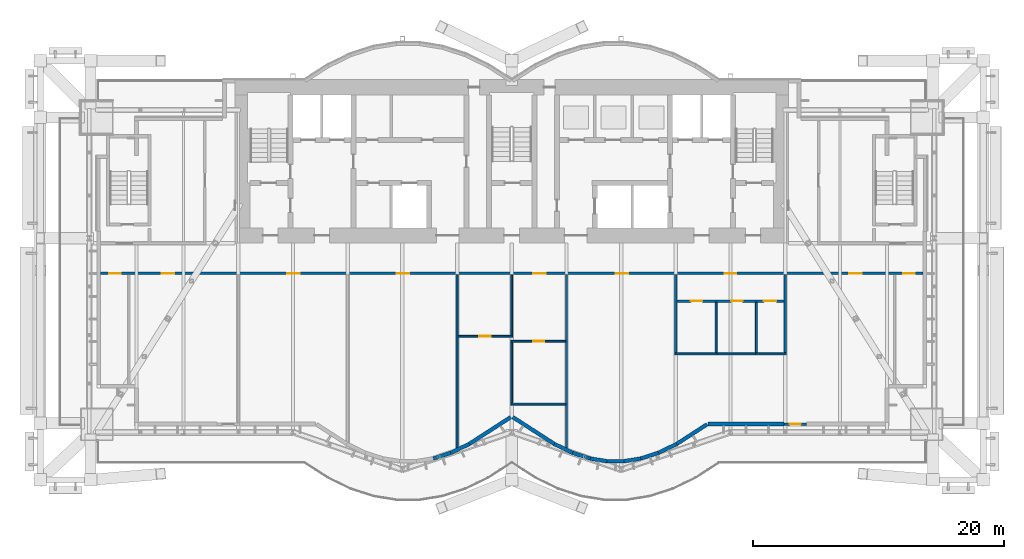
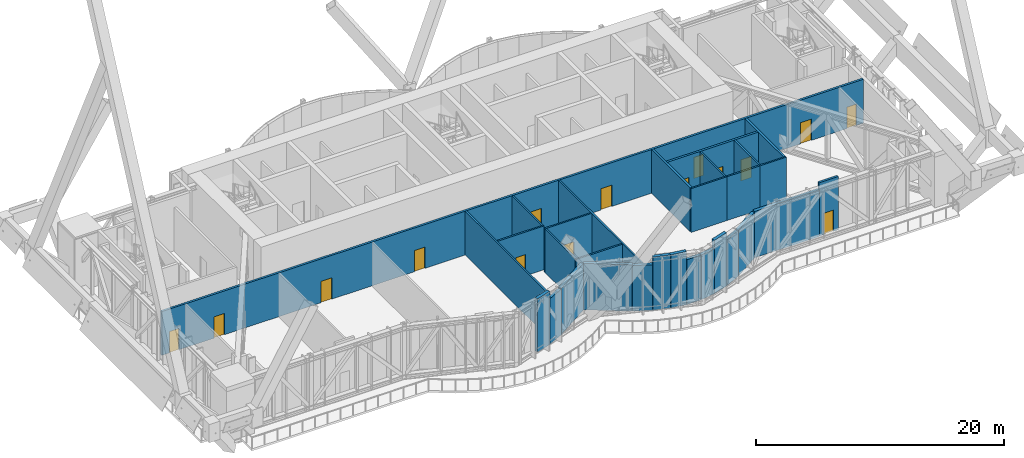
# One storey, part 24 of 31: 30 walls, 15 doors, 15 openings.
"""IFC4 building model written with IfcOpenShell, lengths in metres."""

from ifc_helpers import new_model, si_unit, direction, frame, frame_2d, origin, place, context, subcontext, project, spatial, rectangle, extrude, material, layer, layer_set, layer_usage, type_object, element, fill, save


model = new_model("IFC4")

# Units and contexts
model_context = context("Model", 3, precision=1e-05, world=origin(), true_north=direction((0.0, 1.0)))
body_context = subcontext(model_context, "Body", "Model", "MODEL_VIEW")
ifc_project = project(units=[si_unit("LENGTHUNIT", "METRE"), si_unit("AREAUNIT", "SQUARE_METRE"), si_unit("VOLUMEUNIT", "CUBIC_METRE"), si_unit("PLANEANGLEUNIT", "RADIAN"), si_unit("MASSUNIT", "GRAM", prefix="KILO")], contexts=[model_context])

# Site, building, storey
site_placement = place(None, origin())
site = spatial("IfcSite", under=ifc_project, at=site_placement, CompositionType="ELEMENT")
building_placement = place(site_placement, origin())
building = spatial("IfcBuilding", under=site, at=building_placement, Name="Bicima Exchange Tower", CompositionType="ELEMENT")
storey_placement = place(building_placement, frame((0.0, 0.0, 236.0)))
storey = spatial("IfcBuildingStorey", under=building, at=storey_placement, Name="L53", CompositionType="ELEMENT", Elevation=236.0)

# Wall, opening, door
ifc_material_1 = material(Name="Concrete C40/50", Category="concrete")
ifc_layer_1 = layer(ifc_material_1, 0.2)
ifc_layer_set_1 = layer_set([ifc_layer_1], Name="Concrete C40/50")
ifc_layer_usage_1 = layer_usage(ifc_layer_set_1, "AXIS2", "POSITIVE", -0.1)
wall_type_1 = type_object("IfcWallType", Name="Entrance frame wall 200", PredefinedType="STANDARD", material=ifc_layer_set_1)
wall_1_placement = place(storey_placement, frame((23.449951171875, -27.382080078125, 0.0), z_axis=(0.0, 0.0, 1.0), x_axis=(-1.0, 0.0, 0.0)))
wall_1 = element("IfcWall", 1, at=wall_1_placement, inside=storey, type_object=wall_type_1, material=ifc_layer_usage_1, Name="Band door frame wall L53", PredefinedType="STANDARD", context=body_context, shape_type="SweptSolid", body=[
    extrude(rectangle(XDim=1.800048828125, YDim=0.199951171875, at=frame_2d((0.89990234375, 0.0))), origin(), (0.0, 0.0, 1.0), 5.25),
])
opening_1_placement = place(wall_1_placement, frame((0.449951171875, 0.0, 0.0)))
opening_1 = element("IfcOpeningElement", 2, at=opening_1_placement, cuts=wall_1, Name="Opening DX5", PredefinedType="OPENING", context=body_context, shape_type="SweptSolid", body=[
    extrude(rectangle(XDim=0.89990234375, YDim=2.10009765625, at=frame_2d((0.449951171875, 1.050048828125))), frame((0.0, 0.11181640625, 0.0), z_axis=(0.0, -1.0, 0.0), x_axis=(1.0, 0.0, 0.0)), (0.0, 0.0, 1.0), 0.223876953125),
])
ifc_material_2 = material(Name="Anodised bronze aluminium and bonded safety glass", Category="aluminium")
door_type_1 = type_object("IfcDoorType", Name="Band terrace door, single leaf 900 x 2100", OperationType="SINGLE_SWING_LEFT", PredefinedType="DOOR", material=ifc_material_2)
door_1_placement = place(opening_1_placement, origin())
door_1 = element("IfcDoor", 3, at=door_1_placement, inside=storey, type_object=door_type_1, Name="Band door door L53", OperationType="SINGLE_SWING_LEFT", OverallHeight=2.10009765625, OverallWidth=0.89990234375, PredefinedType="DOOR", context=body_context, shape_type="SweptSolid", body=[
    extrude(rectangle(XDim=0.89990234375, YDim=2.10009765625, at=frame_2d((0.449951171875, 1.050048828125))), frame((0.0, 0.02490234375, 0.0), z_axis=(0.0, -1.0, 0.0), x_axis=(1.0, 0.0, 0.0)), (0.0, 0.0, 1.0), 0.050048828125),
])
fill(opening_1, door_1)

# Wall, openings, doors
ifc_material_3 = material(Name="Gypsum board partition")
ifc_layer_2 = layer(ifc_material_3, 0.199951171875)
ifc_layer_set_2 = layer_set([ifc_layer_2], Name="Gypsum board partition")
wall_type_2 = type_object("IfcWallType", Name="Fire-rated gypsum partition 200 EI60", PredefinedType="PARTITIONING", material=ifc_layer_set_2)
wall_2_placement = place(storey_placement, frame((13.14990234375, -17.60009765625, 0.0), z_axis=(0.0, 0.0, 1.0), x_axis=(1.0, 0.0, 0.0)))
wall_2 = element("IfcWall", 4, at=wall_2_placement, inside=storey, type_object=wall_type_2, Name="partition wall 7", PredefinedType="PARTITIONING", context=body_context, shape_type="SweptSolid", body=[
    extrude(rectangle(XDim=8.5, YDim=0.199951171875, at=frame_2d((4.25, 0.0))), origin(), (0.0, 0.0, 1.0), 4.318115234375),
])
opening_2_placement = place(wall_2_placement, frame((1.10009765625, 0.0, 0.0)))
opening_2 = element("IfcOpeningElement", 5, at=opening_2_placement, cuts=wall_2, Name="Opening L53-016", PredefinedType="OPENING", context=body_context, shape_type="SweptSolid", body=[
    extrude(rectangle(XDim=0.89990234375, YDim=2.10009765625, at=frame_2d((0.449951171875, 1.050048828125))), frame((0.0, 0.11181640625, 0.0), z_axis=(0.0, -1.0, 0.0), x_axis=(1.0, 0.0, 0.0)), (0.0, 0.0, 1.0), 0.223876953125),
])
opening_3_placement = place(wall_2_placement, frame((4.300048828125, 0.0, 0.0)))
opening_3 = element("IfcOpeningElement", 6, at=opening_3_placement, cuts=wall_2, Name="Opening L53-017", PredefinedType="OPENING", context=body_context, shape_type="SweptSolid", body=[
    extrude(rectangle(XDim=0.89990234375, YDim=2.10009765625, at=frame_2d((0.449951171875, 1.050048828125))), frame((0.0, 0.11181640625, 0.0), z_axis=(0.0, -1.0, 0.0), x_axis=(1.0, 0.0, 0.0)), (0.0, 0.0, 1.0), 0.223876953125),
])
opening_4_placement = place(wall_2_placement, frame((6.89990234375, 0.0, 0.0)))
opening_4 = element("IfcOpeningElement", 7, at=opening_4_placement, cuts=wall_2, Name="Opening L53-018", PredefinedType="OPENING", context=body_context, shape_type="SweptSolid", body=[
    extrude(rectangle(XDim=1.0, YDim=2.10009765625, at=frame_2d((0.5, 1.050048828125))), frame((0.0, 0.11181640625, 0.0), z_axis=(0.0, -1.0, 0.0), x_axis=(1.0, 0.0, 0.0)), (0.0, 0.0, 1.0), 0.223876953125),
])
ifc_material_4 = material(Name="Steel fire door leaf", Category="steel")
door_type_2 = type_object("IfcDoorType", Name="Door 1000 swing FD30S", OperationType="SINGLE_SWING_LEFT", PredefinedType="DOOR", material=ifc_material_4)
door_2_placement = place(opening_4_placement, frame((1.0, 0.0, 0.0), z_axis=(0.0, 0.0, 1.0), x_axis=(-1.0, 0.0, 0.0)))
door_2 = element("IfcDoor", 8, at=door_2_placement, inside=storey, type_object=door_type_2, Name="Door", OperationType="SINGLE_SWING_RIGHT", OverallHeight=2.10009765625, OverallWidth=1.0, PredefinedType="DOOR", context=body_context, shape_type="SweptSolid", body=[
    extrude(rectangle(XDim=1.0, YDim=2.10009765625, at=frame_2d((0.5, 1.050048828125))), frame((0.0, 0.02490234375, 0.0), z_axis=(0.0, -1.0, 0.0), x_axis=(1.0, 0.0, 0.0)), (0.0, 0.0, 1.0), 0.050048828125),
])
fill(opening_4, door_2)
door_type_3 = type_object("IfcDoorType", Name="Door 900 swing FD30S", OperationType="SINGLE_SWING_LEFT", PredefinedType="DOOR", material=ifc_material_4)
door_3_placement = place(opening_2_placement, frame((0.89990234375, 0.0, 0.0), z_axis=(0.0, 0.0, 1.0), x_axis=(-1.0, 0.0, 0.0)))
door_3 = element("IfcDoor", 9, at=door_3_placement, inside=storey, type_object=door_type_3, Name="Door", OperationType="SINGLE_SWING_LEFT", OverallHeight=2.10009765625, OverallWidth=0.89990234375, PredefinedType="DOOR", context=body_context, shape_type="SweptSolid", body=[
    extrude(rectangle(XDim=0.89990234375, YDim=2.10009765625, at=frame_2d((0.449951171875, 1.050048828125))), frame((0.0, 0.02490234375, 0.0), z_axis=(0.0, -1.0, 0.0), x_axis=(1.0, 0.0, 0.0)), (0.0, 0.0, 1.0), 0.050048828125),
])
fill(opening_2, door_3)
door_4_placement = place(opening_3_placement, frame((0.89990234375, 0.0, 0.0), z_axis=(0.0, 0.0, 1.0), x_axis=(-1.0, 0.0, 0.0)))
door_4 = element("IfcDoor", 10, at=door_4_placement, inside=storey, type_object=door_type_3, Name="Door", OperationType="SINGLE_SWING_RIGHT", OverallHeight=2.10009765625, OverallWidth=0.89990234375, PredefinedType="DOOR", context=body_context, shape_type="SweptSolid", body=[
    extrude(rectangle(XDim=0.89990234375, YDim=2.10009765625, at=frame_2d((0.449951171875, 1.050048828125))), frame((0.0, 0.02490234375, 0.0), z_axis=(0.0, -1.0, 0.0), x_axis=(1.0, 0.0, 0.0)), (0.0, 0.0, 1.0), 0.050048828125),
])
fill(opening_3, door_4)

wall_3_placement = place(storey_placement, frame((-32.699951171875, -15.39990234375, 0.0), z_axis=(0.0, 0.0, 1.0), x_axis=(1.0, 0.0, 0.0)))
wall_3 = element("IfcWall", 11, at=wall_3_placement, inside=storey, type_object=wall_type_2, Name="partition wall 8", PredefinedType="PARTITIONING", context=body_context, shape_type="SweptSolid", body=[
    extrude(rectangle(XDim=65.39990234375, YDim=0.199951171875, at=frame_2d((32.699951171875, 0.0))), origin(), (0.0, 0.0, 1.0), 4.318115234375),
])
opening_5_placement = place(wall_3_placement, frame((0.699951171875, 0.0, 0.0)))
opening_5 = element("IfcOpeningElement", 12, at=opening_5_placement, cuts=wall_3, Name="Opening L53-007", PredefinedType="OPENING", context=body_context, shape_type="SweptSolid", body=[
    extrude(rectangle(XDim=0.89990234375, YDim=2.10009765625, at=frame_2d((0.449951171875, 1.050048828125))), frame((0.0, 0.11181640625, 0.0), z_axis=(0.0, -1.0, 0.0), x_axis=(1.0, 0.0, 0.0)), (0.0, 0.0, 1.0), 0.223876953125),
])
opening_6_placement = place(wall_3_placement, frame((4.85009765625, 0.0, 0.0)))
opening_6 = element("IfcOpeningElement", 13, at=opening_6_placement, cuts=wall_3, Name="Opening L53-008", PredefinedType="OPENING", context=body_context, shape_type="SweptSolid", body=[
    extrude(rectangle(XDim=1.0, YDim=2.10009765625, at=frame_2d((0.5, 1.050048828125))), frame((0.0, 0.11181640625, 0.0), z_axis=(0.0, -1.0, 0.0), x_axis=(1.0, 0.0, 0.0)), (0.0, 0.0, 1.0), 0.223876953125),
])
opening_7_placement = place(wall_3_placement, frame((14.85009765625, 0.0, 0.0)))
opening_7 = element("IfcOpeningElement", 14, at=opening_7_placement, cuts=wall_3, Name="Opening L53-009", PredefinedType="OPENING", context=body_context, shape_type="SweptSolid", body=[
    extrude(rectangle(XDim=1.0, YDim=2.10009765625, at=frame_2d((0.5, 1.050048828125))), frame((0.0, 0.11181640625, 0.0), z_axis=(0.0, -1.0, 0.0), x_axis=(1.0, 0.0, 0.0)), (0.0, 0.0, 1.0), 0.223876953125),
])
opening_8_placement = place(wall_3_placement, frame((23.550048828125, 0.0, 0.0)))
opening_8 = element("IfcOpeningElement", 15, at=opening_8_placement, cuts=wall_3, Name="Opening L53-010", PredefinedType="OPENING", context=body_context, shape_type="SweptSolid", body=[
    extrude(rectangle(XDim=1.0, YDim=2.10009765625, at=frame_2d((0.5, 1.050048828125))), frame((0.0, 0.11181640625, 0.0), z_axis=(0.0, -1.0, 0.0), x_axis=(1.0, 0.0, 0.0)), (0.0, 0.0, 1.0), 0.223876953125),
])
opening_9_placement = place(wall_3_placement, frame((34.39990234375, 0.0, 0.0)))
opening_9 = element("IfcOpeningElement", 16, at=opening_9_placement, cuts=wall_3, Name="Opening L53-011", PredefinedType="OPENING", context=body_context, shape_type="SweptSolid", body=[
    extrude(rectangle(XDim=1.0, YDim=2.10009765625, at=frame_2d((0.5, 1.050048828125))), frame((0.0, 0.11181640625, 0.0), z_axis=(0.0, -1.0, 0.0), x_axis=(1.0, 0.0, 0.0)), (0.0, 0.0, 1.0), 0.223876953125),
])
opening_10_placement = place(wall_3_placement, frame((40.949951171875, 0.0, 0.0)))
opening_10 = element("IfcOpeningElement", 17, at=opening_10_placement, cuts=wall_3, Name="Opening L53-014", PredefinedType="OPENING", context=body_context, shape_type="SweptSolid", body=[
    extrude(rectangle(XDim=1.0, YDim=2.10009765625, at=frame_2d((0.5, 1.050048828125))), frame((0.0, 0.11181640625, 0.0), z_axis=(0.0, -1.0, 0.0), x_axis=(1.0, 0.0, 0.0)), (0.0, 0.0, 1.0), 0.223876953125),
])
opening_11_placement = place(wall_3_placement, frame((49.64990234375, 0.0, 0.0)))
opening_11 = element("IfcOpeningElement", 18, at=opening_11_placement, cuts=wall_3, Name="Opening L53-015", PredefinedType="OPENING", context=body_context, shape_type="SweptSolid", body=[
    extrude(rectangle(XDim=0.89990234375, YDim=2.10009765625, at=frame_2d((0.449951171875, 1.050048828125))), frame((0.0, 0.11181640625, 0.0), z_axis=(0.0, -1.0, 0.0), x_axis=(1.0, 0.0, 0.0)), (0.0, 0.0, 1.0), 0.223876953125),
])
opening_12_placement = place(wall_3_placement, frame((59.550048828125, 0.0, 0.0)))
opening_12 = element("IfcOpeningElement", 19, at=opening_12_placement, cuts=wall_3, Name="Opening L53-019", PredefinedType="OPENING", context=body_context, shape_type="SweptSolid", body=[
    extrude(rectangle(XDim=1.0, YDim=2.10009765625, at=frame_2d((0.5, 1.050048828125))), frame((0.0, 0.11181640625, 0.0), z_axis=(0.0, -1.0, 0.0), x_axis=(1.0, 0.0, 0.0)), (0.0, 0.0, 1.0), 0.223876953125),
])
opening_13_placement = place(wall_3_placement, frame((63.85009765625, 0.0, 0.0)))
opening_13 = element("IfcOpeningElement", 20, at=opening_13_placement, cuts=wall_3, Name="Opening L53-020", PredefinedType="OPENING", context=body_context, shape_type="SweptSolid", body=[
    extrude(rectangle(XDim=0.89990234375, YDim=2.10009765625, at=frame_2d((0.449951171875, 1.050048828125))), frame((0.0, 0.11181640625, 0.0), z_axis=(0.0, -1.0, 0.0), x_axis=(1.0, 0.0, 0.0)), (0.0, 0.0, 1.0), 0.223876953125),
])
door_5_placement = place(opening_6_placement, frame((1.0, 0.0, 0.0), z_axis=(0.0, 0.0, 1.0), x_axis=(-1.0, 0.0, 0.0)))
door_5 = element("IfcDoor", 21, at=door_5_placement, inside=storey, type_object=door_type_2, Name="Door", OperationType="SINGLE_SWING_RIGHT", OverallHeight=2.10009765625, OverallWidth=1.0, PredefinedType="DOOR", context=body_context, shape_type="SweptSolid", body=[
    extrude(rectangle(XDim=1.0, YDim=2.10009765625, at=frame_2d((0.5, 1.050048828125))), frame((0.0, 0.02490234375, 0.0), z_axis=(0.0, -1.0, 0.0), x_axis=(1.0, 0.0, 0.0)), (0.0, 0.0, 1.0), 0.050048828125),
])
fill(opening_6, door_5)
door_6_placement = place(opening_7_placement, frame((1.0, 0.0, 0.0), z_axis=(0.0, 0.0, 1.0), x_axis=(-1.0, 0.0, 0.0)))
door_6 = element("IfcDoor", 22, at=door_6_placement, inside=storey, type_object=door_type_2, Name="Door", OperationType="SINGLE_SWING_RIGHT", OverallHeight=2.10009765625, OverallWidth=1.0, PredefinedType="DOOR", context=body_context, shape_type="SweptSolid", body=[
    extrude(rectangle(XDim=1.0, YDim=2.10009765625, at=frame_2d((0.5, 1.050048828125))), frame((0.0, 0.02490234375, 0.0), z_axis=(0.0, -1.0, 0.0), x_axis=(1.0, 0.0, 0.0)), (0.0, 0.0, 1.0), 0.050048828125),
])
fill(opening_7, door_6)
door_7_placement = place(opening_8_placement, frame((1.0, 0.0, 0.0), z_axis=(0.0, 0.0, 1.0), x_axis=(-1.0, 0.0, 0.0)))
door_7 = element("IfcDoor", 23, at=door_7_placement, inside=storey, type_object=door_type_2, Name="Door", OperationType="SINGLE_SWING_LEFT", OverallHeight=2.10009765625, OverallWidth=1.0, PredefinedType="DOOR", context=body_context, shape_type="SweptSolid", body=[
    extrude(rectangle(XDim=1.0, YDim=2.10009765625, at=frame_2d((0.5, 1.050048828125))), frame((0.0, 0.02490234375, 0.0), z_axis=(0.0, -1.0, 0.0), x_axis=(1.0, 0.0, 0.0)), (0.0, 0.0, 1.0), 0.050048828125),
])
fill(opening_8, door_7)
door_8_placement = place(opening_9_placement, frame((1.0, 0.0, 0.0), z_axis=(0.0, 0.0, 1.0), x_axis=(-1.0, 0.0, 0.0)))
door_8 = element("IfcDoor", 24, at=door_8_placement, inside=storey, type_object=door_type_2, Name="Door", OperationType="SINGLE_SWING_RIGHT", OverallHeight=2.10009765625, OverallWidth=1.0, PredefinedType="DOOR", context=body_context, shape_type="SweptSolid", body=[
    extrude(rectangle(XDim=1.0, YDim=2.10009765625, at=frame_2d((0.5, 1.050048828125))), frame((0.0, 0.02490234375, 0.0), z_axis=(0.0, -1.0, 0.0), x_axis=(1.0, 0.0, 0.0)), (0.0, 0.0, 1.0), 0.050048828125),
])
fill(opening_9, door_8)
door_9_placement = place(opening_10_placement, frame((1.0, 0.0, 0.0), z_axis=(0.0, 0.0, 1.0), x_axis=(-1.0, 0.0, 0.0)))
door_9 = element("IfcDoor", 25, at=door_9_placement, inside=storey, type_object=door_type_2, Name="Door", OperationType="SINGLE_SWING_RIGHT", OverallHeight=2.10009765625, OverallWidth=1.0, PredefinedType="DOOR", context=body_context, shape_type="SweptSolid", body=[
    extrude(rectangle(XDim=1.0, YDim=2.10009765625, at=frame_2d((0.5, 1.050048828125))), frame((0.0, 0.02490234375, 0.0), z_axis=(0.0, -1.0, 0.0), x_axis=(1.0, 0.0, 0.0)), (0.0, 0.0, 1.0), 0.050048828125),
])
fill(opening_10, door_9)
door_10_placement = place(opening_12_placement, frame((1.0, 0.0, 0.0), z_axis=(0.0, 0.0, 1.0), x_axis=(-1.0, 0.0, 0.0)))
door_10 = element("IfcDoor", 26, at=door_10_placement, inside=storey, type_object=door_type_2, Name="Door", OperationType="SINGLE_SWING_LEFT", OverallHeight=2.10009765625, OverallWidth=1.0, PredefinedType="DOOR", context=body_context, shape_type="SweptSolid", body=[
    extrude(rectangle(XDim=1.0, YDim=2.10009765625, at=frame_2d((0.5, 1.050048828125))), frame((0.0, 0.02490234375, 0.0), z_axis=(0.0, -1.0, 0.0), x_axis=(1.0, 0.0, 0.0)), (0.0, 0.0, 1.0), 0.050048828125),
])
fill(opening_12, door_10)
door_11_placement = place(opening_5_placement, frame((0.89990234375, 0.0, 0.0), z_axis=(0.0, 0.0, 1.0), x_axis=(-1.0, 0.0, 0.0)))
door_11 = element("IfcDoor", 27, at=door_11_placement, inside=storey, type_object=door_type_3, Name="Door", OperationType="SINGLE_SWING_LEFT", OverallHeight=2.10009765625, OverallWidth=0.89990234375, PredefinedType="DOOR", context=body_context, shape_type="SweptSolid", body=[
    extrude(rectangle(XDim=0.89990234375, YDim=2.10009765625, at=frame_2d((0.449951171875, 1.050048828125))), frame((0.0, 0.02490234375, 0.0), z_axis=(0.0, -1.0, 0.0), x_axis=(1.0, 0.0, 0.0)), (0.0, 0.0, 1.0), 0.050048828125),
])
fill(opening_5, door_11)
door_12_placement = place(opening_11_placement, frame((0.89990234375, 0.0, 0.0), z_axis=(0.0, 0.0, 1.0), x_axis=(-1.0, 0.0, 0.0)))
door_12 = element("IfcDoor", 28, at=door_12_placement, inside=storey, type_object=door_type_3, Name="Door", OperationType="SINGLE_SWING_RIGHT", OverallHeight=2.10009765625, OverallWidth=0.89990234375, PredefinedType="DOOR", context=body_context, shape_type="SweptSolid", body=[
    extrude(rectangle(XDim=0.89990234375, YDim=2.10009765625, at=frame_2d((0.449951171875, 1.050048828125))), frame((0.0, 0.02490234375, 0.0), z_axis=(0.0, -1.0, 0.0), x_axis=(1.0, 0.0, 0.0)), (0.0, 0.0, 1.0), 0.050048828125),
])
fill(opening_11, door_12)
door_13_placement = place(opening_13_placement, frame((0.89990234375, 0.0, 0.0), z_axis=(0.0, 0.0, 1.0), x_axis=(-1.0, 0.0, 0.0)))
door_13 = element("IfcDoor", 29, at=door_13_placement, inside=storey, type_object=door_type_3, Name="Door", OperationType="SINGLE_SWING_RIGHT", OverallHeight=2.10009765625, OverallWidth=0.89990234375, PredefinedType="DOOR", context=body_context, shape_type="SweptSolid", body=[
    extrude(rectangle(XDim=0.89990234375, YDim=2.10009765625, at=frame_2d((0.449951171875, 1.050048828125))), frame((0.0, 0.02490234375, 0.0), z_axis=(0.0, -1.0, 0.0), x_axis=(1.0, 0.0, 0.0)), (0.0, 0.0, 1.0), 0.050048828125),
])
fill(opening_13, door_13)

# Walls
for number, where, z_axis, x_axis, name in (
    (30, (13.050048828125, -21.72509765625, 0.0), (0.0, 0.0, 1.0), (0.0, 1.0, 0.0), "partition wall 25"),
    (31, (21.75, -21.72509765625, 0.0), (0.0, 0.0, 1.0), (0.0, 1.0, 0.0), "partition wall 28"),
):
    element("IfcWall", number, at=place(storey_placement, frame(where, z_axis=z_axis, x_axis=x_axis)), inside=storey, type_object=wall_type_2, Name=name, PredefinedType="PARTITIONING", context=body_context, shape_type="SweptSolid", body=[
        extrude(rectangle(XDim=6.22509765625, YDim=0.199951171875, at=frame_2d((3.112548828125, 0.0))), origin(), (0.0, 0.0, 1.0), 4.318115234375),
    ])
ifc_layer_3 = layer(ifc_material_3, 0.14990234375)
ifc_layer_set_3 = layer_set([ifc_layer_3], Name="Gypsum board partition")
wall_type_3 = type_object("IfcWallType", Name="Gypsum partition 150", PredefinedType="PARTITIONING", material=ifc_layer_set_3)
wall_4_placement = place(storey_placement, frame((-0.074951171875, -25.800048828125, 0.0), z_axis=(0.0, 0.0, 1.0), x_axis=(1.0, 0.0, 0.0)))
element("IfcWall", 32, at=wall_4_placement, inside=storey, type_object=wall_type_3, Name="partition wall 1", PredefinedType="PARTITIONING", context=body_context, shape_type="SweptSolid", body=[
    extrude(rectangle(XDim=4.349853515625, YDim=0.14990234375, at=frame_2d((2.1748046875, 0.0))), origin(), (0.0, 0.0, 1.0), 4.318115234375),
])
wall_5_placement = place(storey_placement, frame((12.969970703125, -21.800048828125, 0.0), z_axis=(0.0, 0.0, 1.0), x_axis=(1.0, 0.0, 0.0)))
element("IfcWall", 33, at=wall_5_placement, inside=storey, type_object=wall_type_3, Name="partition wall 2", PredefinedType="PARTITIONING", context=body_context, shape_type="SweptSolid", body=[
    extrude(rectangle(XDim=3.3349609375, YDim=0.14990234375, at=frame_2d((1.66748046875, 0.0))), origin(), (0.0, 0.0, 1.0), 4.318115234375),
])
wall_6_placement = place(storey_placement, frame((16.195068359375, -21.800048828125, 0.0), z_axis=(0.0, 0.0, 1.0), x_axis=(1.0, 0.0, 0.0)))
element("IfcWall", 34, at=wall_6_placement, inside=storey, type_object=wall_type_3, Name="partition wall 3", PredefinedType="PARTITIONING", context=body_context, shape_type="SweptSolid", body=[
    extrude(rectangle(XDim=3.309814453125, YDim=0.14990234375, at=frame_2d((1.65478515625, 0.0))), origin(), (0.0, 0.0, 1.0), 4.318115234375),
])
wall_7_placement = place(storey_placement, frame((19.39501953125, -21.800048828125, 0.0), z_axis=(0.0, 0.0, 1.0), x_axis=(1.0, 0.0, 0.0)))
element("IfcWall", 35, at=wall_7_placement, inside=storey, type_object=wall_type_3, Name="partition wall 4", PredefinedType="PARTITIONING", context=body_context, shape_type="SweptSolid", body=[
    extrude(rectangle(XDim=2.43505859375, YDim=0.14990234375, at=frame_2d((1.217529296875, 0.0))), origin(), (0.0, 0.0, 1.0), 4.318115234375),
])

# Wall, opening, door
wall_8_placement = place(storey_placement, frame((-0.074951171875, -20.800048828125, 0.0), z_axis=(0.0, 0.0, 1.0), x_axis=(1.0, 0.0, 0.0)))
wall_8 = element("IfcWall", 36, at=wall_8_placement, inside=storey, type_object=wall_type_3, Name="partition wall 5", PredefinedType="PARTITIONING", context=body_context, shape_type="SweptSolid", body=[
    extrude(rectangle(XDim=4.349853515625, YDim=0.14990234375, at=frame_2d((2.1748046875, 0.0))), origin(), (0.0, 0.0, 1.0), 4.318115234375),
])
opening_14_placement = place(wall_8_placement, frame((1.77490234375, 0.0, 0.0)))
opening_14 = element("IfcOpeningElement", 37, at=opening_14_placement, cuts=wall_8, Name="Opening L53-013", PredefinedType="OPENING", context=body_context, shape_type="SweptSolid", body=[
    extrude(rectangle(XDim=0.89990234375, YDim=2.10009765625, at=frame_2d((0.449951171875, 1.050048828125))), frame((0.0, 0.0869140625, 0.0), z_axis=(0.0, -1.0, 0.0), x_axis=(1.0, 0.0, 0.0)), (0.0, 0.0, 1.0), 0.173828125),
])
ifc_material_5 = material(Name="Timber door leaf", Category="wood")
door_type_4 = type_object("IfcDoorType", Name="Door 900 swing", OperationType="SINGLE_SWING_LEFT", PredefinedType="DOOR", material=ifc_material_5)
door_14_placement = place(opening_14_placement, frame((0.89990234375, 0.0, 0.0), z_axis=(0.0, 0.0, 1.0), x_axis=(-1.0, 0.0, 0.0)))
door_14 = element("IfcDoor", 38, at=door_14_placement, inside=storey, type_object=door_type_4, Name="Door", OperationType="SINGLE_SWING_LEFT", OverallHeight=2.10009765625, OverallWidth=0.89990234375, PredefinedType="DOOR", context=body_context, shape_type="SweptSolid", body=[
    extrude(rectangle(XDim=0.89990234375, YDim=2.10009765625, at=frame_2d((0.449951171875, 1.050048828125))), frame((0.0, 0.02490234375, 0.0), z_axis=(0.0, -1.0, 0.0), x_axis=(1.0, 0.0, 0.0)), (0.0, 0.0, 1.0), 0.050048828125),
])
fill(opening_14, door_14)

wall_9_placement = place(storey_placement, frame((-4.27490234375, -20.39990234375, 0.0), z_axis=(0.0, 0.0, 1.0), x_axis=(1.0, 0.0, 0.0)))
wall_9 = element("IfcWall", 39, at=wall_9_placement, inside=storey, type_object=wall_type_3, Name="partition wall 6", PredefinedType="PARTITIONING", context=body_context, shape_type="SweptSolid", body=[
    extrude(rectangle(XDim=4.349853515625, YDim=0.14990234375, at=frame_2d((2.1748046875, 0.0))), origin(), (0.0, 0.0, 1.0), 4.318115234375),
])
opening_15_placement = place(wall_9_placement, frame((1.699951171875, 0.0, 0.0)))
opening_15 = element("IfcOpeningElement", 40, at=opening_15_placement, cuts=wall_9, Name="Opening L53-012", PredefinedType="OPENING", context=body_context, shape_type="SweptSolid", body=[
    extrude(rectangle(XDim=0.89990234375, YDim=2.10009765625, at=frame_2d((0.449951171875, 1.050048828125))), frame((0.0, 0.0869140625, 0.0), z_axis=(0.0, -1.0, 0.0), x_axis=(1.0, 0.0, 0.0)), (0.0, 0.0, 1.0), 0.173828125),
])
door_15_placement = place(opening_15_placement, origin())
door_15 = element("IfcDoor", 41, at=door_15_placement, inside=storey, type_object=door_type_4, Name="Door", OperationType="SINGLE_SWING_RIGHT", OverallHeight=2.10009765625, OverallWidth=0.89990234375, PredefinedType="DOOR", context=body_context, shape_type="SweptSolid", body=[
    extrude(rectangle(XDim=0.89990234375, YDim=2.10009765625, at=frame_2d((0.449951171875, 1.050048828125))), frame((0.0, 0.02490234375, 0.0), z_axis=(0.0, -1.0, 0.0), x_axis=(1.0, 0.0, 0.0)), (0.0, 0.0, 1.0), 0.050048828125),
])
fill(opening_15, door_15)

# Walls
wall_10_placement = place(storey_placement, frame((-4.35009765625, -29.27001953125, 0.0), z_axis=(0.0, 0.0, 1.0), x_axis=(0.0, 1.0, 0.0)))
element("IfcWall", 42, at=wall_10_placement, inside=storey, type_object=wall_type_3, Name="partition wall 21", PredefinedType="PARTITIONING", context=body_context, shape_type="SweptSolid", body=[
    extrude(rectangle(XDim=13.77001953125, YDim=0.14990234375, at=frame_2d((6.885009765625, 0.0))), origin(), (0.0, 0.0, 1.0), 4.318115234375),
])
wall_11_placement = place(storey_placement, frame((0.0, -25.72509765625, 0.0), z_axis=(0.0, 0.0, 1.0), x_axis=(0.0, 1.0, 0.0)))
element("IfcWall", 43, at=wall_11_placement, inside=storey, type_object=wall_type_3, Name="partition wall 22", PredefinedType="PARTITIONING", context=body_context, shape_type="SweptSolid", body=[
    extrude(rectangle(XDim=4.85009765625, YDim=0.14990234375, at=frame_2d((2.425048828125, 0.0))), origin(), (0.0, 0.0, 1.0), 4.318115234375),
])
wall_12_placement = place(storey_placement, frame((0.0, -20.324951171875, 0.0), z_axis=(0.0, 0.0, 1.0), x_axis=(0.0, 1.0, 0.0)))
element("IfcWall", 44, at=wall_12_placement, inside=storey, type_object=wall_type_3, Name="partition wall 23", PredefinedType="PARTITIONING", context=body_context, shape_type="SweptSolid", body=[
    extrude(rectangle(XDim=4.824951171875, YDim=0.14990234375, at=frame_2d((2.41259765625, 0.0))), origin(), (0.0, 0.0, 1.0), 4.318115234375),
])
wall_13_placement = place(storey_placement, frame((4.35009765625, -29.27001953125, 0.0), z_axis=(0.0, 0.0, 1.0), x_axis=(0.0, 1.0, 0.0)))
element("IfcWall", 45, at=wall_13_placement, inside=storey, type_object=wall_type_3, Name="partition wall 24", PredefinedType="PARTITIONING", context=body_context, shape_type="SweptSolid", body=[
    extrude(rectangle(XDim=13.77001953125, YDim=0.14990234375, at=frame_2d((6.885009765625, 0.0))), origin(), (0.0, 0.0, 1.0), 4.318115234375),
])
for number, where, z_axis, x_axis, name in (
    (46, (16.25, -21.72509765625, 0.0), (0.0, 0.0, 1.0), (0.0, 1.0, 0.0), "partition wall 26"),
    (47, (19.449951171875, -21.72509765625, 0.0), (0.0, 0.0, 1.0), (0.0, 1.0, 0.0), "partition wall 27"),
):
    element("IfcWall", number, at=place(storey_placement, frame(where, z_axis=z_axis, x_axis=x_axis)), inside=storey, type_object=wall_type_3, Name=name, PredefinedType="PARTITIONING", context=body_context, shape_type="SweptSolid", body=[
        extrude(rectangle(XDim=4.025146484375, YDim=0.14990234375, at=frame_2d((2.0126953125, 0.0))), origin(), (0.0, 0.0, 1.0), 4.318115234375),
    ])
ifc_layer_4 = layer(ifc_material_1, 0.3)
ifc_layer_set_4 = layer_set([ifc_layer_4], Name="Concrete C40/50")
ifc_layer_usage_2 = layer_usage(ifc_layer_set_4, "AXIS2", "POSITIVE", -0.15)
wall_type_4 = type_object("IfcWallType", Name="Refuge band wall 300", PredefinedType="STANDARD", material=ifc_layer_set_4)
wall_14_placement = place(storey_placement, frame((-6.239990234375, -30.12744140625, 0.0), z_axis=(0.0, 0.0, 1.0), x_axis=(0.951539081691, 0.307527845919, 0.0)))
element("IfcWall", 48, at=wall_14_placement, inside=storey, type_object=wall_type_4, material=ifc_layer_usage_2, Name="Refuge band wall L53", PredefinedType="STANDARD", context=body_context, shape_type="SweptSolid", body=[
    extrude(rectangle(XDim=1.467041015625, YDim=0.300048828125, at=frame_2d((0.7333984375, 0.0))), origin(), (0.0, 0.0, 1.0), 5.25),
])
wall_15_placement = place(storey_placement, frame((-4.843994140625, -29.67626953125, 0.0), z_axis=(0.0, 0.0, 1.0), x_axis=(0.899798026589, 0.436306671214, 0.0)))
element("IfcWall", 49, at=wall_15_placement, inside=storey, type_object=wall_type_4, material=ifc_layer_usage_2, Name="Refuge band wall L53", PredefinedType="STANDARD", context=body_context, shape_type="SweptSolid", body=[
    extrude(rectangle(XDim=1.62548828125, YDim=0.300048828125, at=frame_2d((0.812744140625, 0.0))), origin(), (0.0, 0.0, 1.0), 4.49560546875),
])
for number, where, z_axis, x_axis, name in (
    (50, (-3.38134765625, -28.967041015625, 0.0), (0.0, 0.0, 1.0), (0.839805110115, 0.542887996759, 0.0), "Refuge band wall L53"),
    (51, (0.081298828125, -26.833740234375, 0.0), (0.0, 0.0, 1.0), (0.839805110115, -0.542887996759, 0.0), "Refuge band wall L53"),
):
    element("IfcWall", number, at=place(storey_placement, frame(where, z_axis=z_axis, x_axis=x_axis)), inside=storey, type_object=wall_type_4, material=ifc_layer_usage_2, Name=name, PredefinedType="STANDARD", context=body_context, shape_type="SweptSolid", body=[
        extrude(rectangle(XDim=3.929443359375, YDim=0.300048828125, at=frame_2d((1.96484375, 0.0))), origin(), (0.0, 0.0, 1.0), 4.57177734375),
    ])
wall_16_placement = place(storey_placement, frame((3.38134765625, -28.967041015625, 0.0), z_axis=(0.0, 0.0, 1.0), x_axis=(0.899798026589, -0.436306671214, 0.0)))
element("IfcWall", 52, at=wall_16_placement, inside=storey, type_object=wall_type_4, material=ifc_layer_usage_2, Name="Refuge band wall L53", PredefinedType="STANDARD", context=body_context, shape_type="SweptSolid", body=[
    extrude(rectangle(XDim=1.62548828125, YDim=0.300048828125, at=frame_2d((0.812744140625, 0.0))), origin(), (0.0, 0.0, 1.0), 4.49560546875),
])
wall_17_placement = place(storey_placement, frame((4.843994140625, -29.67626953125, 0.0), z_axis=(0.0, 0.0, 1.0), x_axis=(0.951539081691, -0.307527845919, 0.0)))
element("IfcWall", 53, at=wall_17_placement, inside=storey, type_object=wall_type_4, material=ifc_layer_usage_2, Name="Refuge band wall L53", PredefinedType="STANDARD", context=body_context, shape_type="SweptSolid", body=[
    extrude(rectangle(XDim=1.467041015625, YDim=0.300048828125, at=frame_2d((0.7333984375, 0.0))), origin(), (0.0, 0.0, 1.0), 5.25),
])
wall_18_placement = place(storey_placement, frame((6.239990234375, -30.12744140625, 0.0), z_axis=(0.0, 0.0, 1.0), x_axis=(0.987194777017, -0.15951950423, 0.0)))
element("IfcWall", 54, at=wall_18_placement, inside=storey, type_object=wall_type_4, material=ifc_layer_usage_2, Name="Refuge band wall L53", PredefinedType="STANDARD", context=body_context, shape_type="SweptSolid", body=[
    extrude(rectangle(XDim=1.36376953125, YDim=0.300048828125, at=frame_2d((0.681884765625, 0.0))), origin(), (0.0, 0.0, 1.0), 5.25),
])
wall_19_placement = place(storey_placement, frame((7.586181640625, -30.344970703125, 0.0), z_axis=(0.0, 0.0, 1.0), x_axis=(1.0, 0.0, 0.0)))
element("IfcWall", 55, at=wall_19_placement, inside=storey, type_object=wall_type_4, material=ifc_layer_usage_2, Name="Refuge band wall L53", PredefinedType="STANDARD", context=body_context, shape_type="SweptSolid", body=[
    extrude(rectangle(XDim=1.32763671875, YDim=0.300048828125, at=frame_2d((0.663818359375, 0.0))), origin(), (0.0, 0.0, 1.0), 4.414306640625),
])
wall_20_placement = place(storey_placement, frame((8.913818359375, -30.344970703125, 0.0), z_axis=(0.0, 0.0, 1.0), x_axis=(0.987194777017, 0.15951950423, 0.0)))
element("IfcWall", 56, at=wall_20_placement, inside=storey, type_object=wall_type_4, material=ifc_layer_usage_2, Name="Refuge band wall L53", PredefinedType="STANDARD", context=body_context, shape_type="SweptSolid", body=[
    extrude(rectangle(XDim=1.36376953125, YDim=0.300048828125, at=frame_2d((0.681884765625, 0.0))), origin(), (0.0, 0.0, 1.0), 4.414306640625),
])
wall_21_placement = place(storey_placement, frame((10.260009765625, -30.12744140625, 0.0), z_axis=(0.0, 0.0, 1.0), x_axis=(0.951539081691, 0.307527845919, 0.0)))
element("IfcWall", 57, at=wall_21_placement, inside=storey, type_object=wall_type_4, material=ifc_layer_usage_2, Name="Refuge band wall L53", PredefinedType="STANDARD", context=body_context, shape_type="SweptSolid", body=[
    extrude(rectangle(XDim=1.467041015625, YDim=0.300048828125, at=frame_2d((0.7333984375, 0.0))), origin(), (0.0, 0.0, 1.0), 5.25),
])
wall_22_placement = place(storey_placement, frame((11.656005859375, -29.67626953125, 0.0), z_axis=(0.0, 0.0, 1.0), x_axis=(0.899798026589, 0.436306671214, 0.0)))
element("IfcWall", 58, at=wall_22_placement, inside=storey, type_object=wall_type_4, material=ifc_layer_usage_2, Name="Refuge band wall L53", PredefinedType="STANDARD", context=body_context, shape_type="SweptSolid", body=[
    extrude(rectangle(XDim=1.62548828125, YDim=0.300048828125, at=frame_2d((0.812744140625, 0.0))), origin(), (0.0, 0.0, 1.0), 4.49560546875),
])
wall_23_placement = place(storey_placement, frame((13.11865234375, -28.967041015625, 0.0), z_axis=(0.0, 0.0, 1.0), x_axis=(0.839779682339, 0.542927329512, 0.0)))
element("IfcWall", 59, at=wall_23_placement, inside=storey, type_object=wall_type_4, material=ifc_layer_usage_2, Name="Refuge band wall L53", PredefinedType="STANDARD", context=body_context, shape_type="SweptSolid", body=[
    extrude(rectangle(XDim=2.875244140625, YDim=0.300048828125, at=frame_2d((1.4375, 0.0))), origin(), (0.0, 0.0, 1.0), 4.49560546875),
])
wall_24_placement = place(storey_placement, frame((15.61474609375, -27.382080078125, 0.0), z_axis=(0.0, 0.0, 1.0), x_axis=(1.0, 0.0, 0.0)))
element("IfcWall", 60, at=wall_24_placement, inside=storey, type_object=wall_type_4, material=ifc_layer_usage_2, Name="Refuge band wall L53", PredefinedType="STANDARD", context=body_context, shape_type="SweptSolid", body=[
    extrude(rectangle(XDim=6.03515625, YDim=0.300048828125, at=frame_2d((3.017578125, 0.0))), origin(), (0.0, 0.0, 1.0), 4.57177734375),
])

save(model, "model.ifc")
